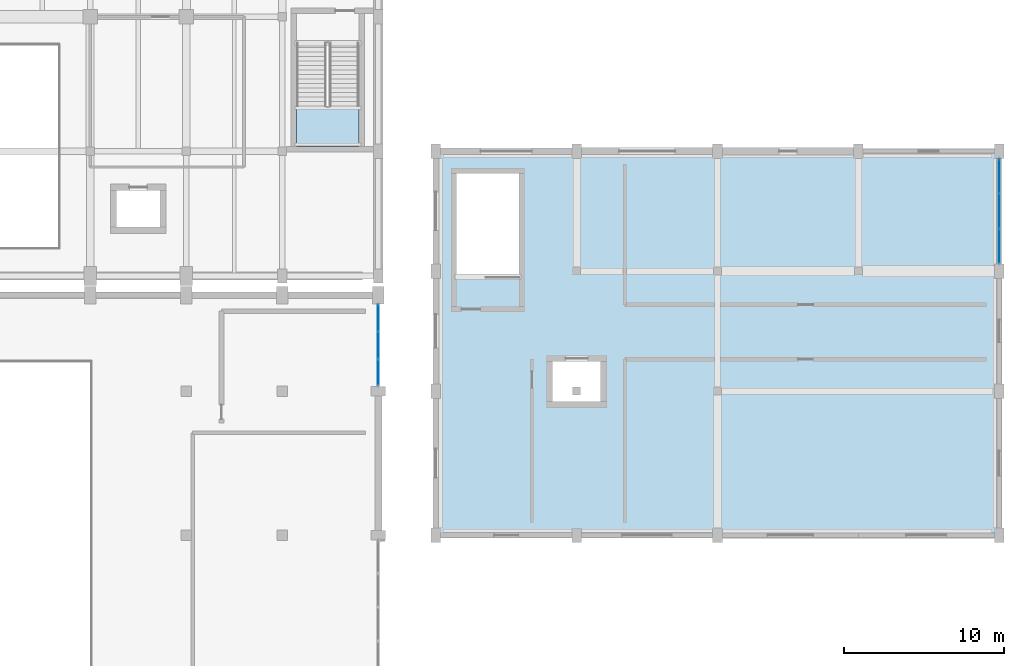
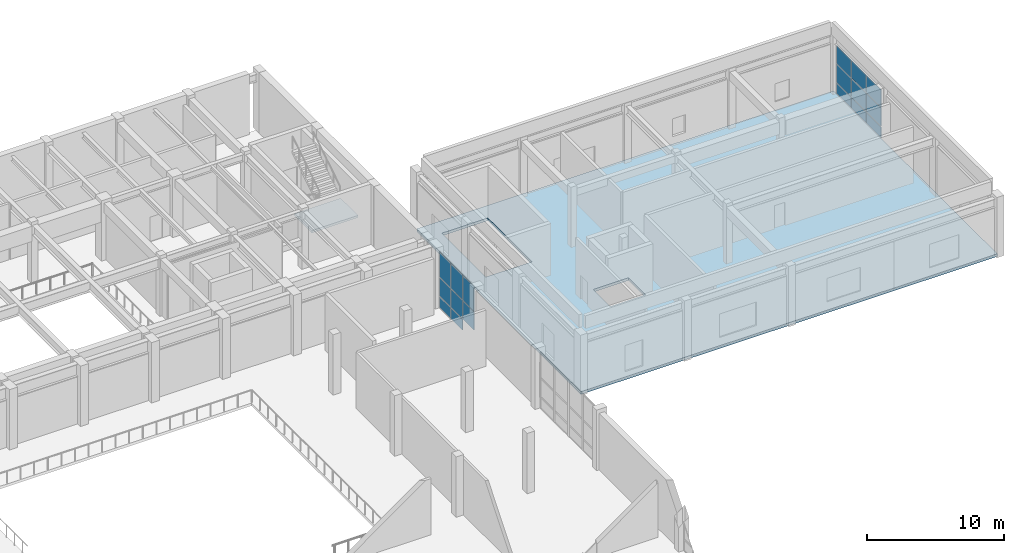
# One storey, part 25 of 41: 17 plates, 2 slabs, 3 elements without a shape of their own.
"""IFC4 building model written with IfcOpenShell, lengths in metres."""

from ifc_helpers import new_model, si_unit, direction, frame, origin, origin_2d, place, context, subcontext, project, spatial, polyline, rectangle, outline, extrude, material, layer, layer_set, type_object, element, aggregate, save


model = new_model("IFC4")

# Units and contexts
model_context = context("Model", 3, precision=1e-05, world=origin(), true_north=direction((0.0, 1.0)))
body_context = subcontext(model_context, "Body", "Model", "MODEL_VIEW")
ifc_project = project(units=[si_unit("LENGTHUNIT", "METRE"), si_unit("AREAUNIT", "SQUARE_METRE"), si_unit("VOLUMEUNIT", "CUBIC_METRE"), si_unit("PLANEANGLEUNIT", "RADIAN"), si_unit("MASSUNIT", "GRAM", prefix="KILO")], contexts=[model_context])

# Site, building, storey
site_placement = place(None, origin())
site = spatial("IfcSite", under=ifc_project, at=site_placement, CompositionType="ELEMENT")
building_placement = place(site_placement, origin())
building = spatial("IfcBuilding", under=site, at=building_placement, Name="Vaelkrest Opera House", CompositionType="ELEMENT")
storey_placement = place(building_placement, frame((0.0, 0.0, 24.60009765625)))
storey = spatial("IfcBuildingStorey", under=building, at=storey_placement, Name="L05", CompositionType="ELEMENT", Elevation=24.60009765625)

# Curtain wall, plates
ifc_material_1 = material(Name="Dark bronze anodized aluminium", Category="aluminium")
ifc_layer_1 = layer(ifc_material_1, 0.219970703125)
ifc_layer_set_1 = layer_set([ifc_layer_1], Name="Dark bronze anodized aluminium")
curtain_wall_type = type_object("IfcCurtainWallType", Name="CW05", PredefinedType="NOTDEFINED", material=ifc_layer_set_1)
curtain_wall_1_placement = place(storey_placement, origin())
curtain_wall_1 = element("IfcCurtainWall", 1, at=curtain_wall_1_placement, inside=storey, type_object=curtain_wall_type, Name="Curtain wall CW-L05-077", PredefinedType="NOTDEFINED")
ifc_material_2 = material(Name="Double low-E insulated glazing", Category="glass")
ifc_layer_2 = layer(ifc_material_2, 0.0419921875)
ifc_layer_set_2 = layer_set([ifc_layer_2], Name="Double low-E insulated glazing")
plate_type = type_object("IfcPlateType", Name="CWP05", PredefinedType="CURTAIN_PANEL", material=ifc_layer_set_2)
plate_1_placement = place(storey_placement, frame((30.0, 14.77685546875, 0.074951171875), z_axis=(0.0, 0.0, 1.0), x_axis=(0.0, -1.0, 0.0)))
plate_1 = element("IfcPlate", 2, at=plate_1_placement, type_object=plate_type, Name="CW05 panel 1.1", PredefinedType="CURTAIN_PANEL", context=body_context, shape_type="SweptSolid", body=[
    extrude(rectangle(XDim=1.62060546875, YDim=0.0419921875, at=origin_2d()), origin(), (0.0, 0.0, 1.0), 0.9375),
])
plate_2_placement = place(storey_placement, frame((30.0, 14.77685546875, 1.08740234375), z_axis=(0.0, 0.0, 1.0), x_axis=(0.0, -1.0, 0.0)))
plate_2 = element("IfcPlate", 3, at=plate_2_placement, type_object=plate_type, Name="CW05 panel 1.2", PredefinedType="CURTAIN_PANEL", context=body_context, shape_type="SweptSolid", body=[
    extrude(rectangle(XDim=1.62060546875, YDim=0.0419921875, at=origin_2d()), origin(), (0.0, 0.0, 1.0), 1.625),
])
plate_3_placement = place(storey_placement, frame((30.0, 14.77685546875, 2.787353515625), z_axis=(0.0, 0.0, 1.0), x_axis=(0.0, -1.0, 0.0)))
plate_3 = element("IfcPlate", 4, at=plate_3_placement, type_object=plate_type, Name="CW05 panel 1.3", PredefinedType="CURTAIN_PANEL", context=body_context, shape_type="SweptSolid", body=[
    extrude(rectangle(XDim=1.62060546875, YDim=0.0419921875, at=origin_2d()), origin(), (0.0, 0.0, 1.0), 2.1875),
])
plate_4_placement = place(storey_placement, frame((30.0, 13.074951171875, 0.074951171875), z_axis=(0.0, 0.0, 1.0), x_axis=(0.0, -1.0, 0.0)))
plate_4 = element("IfcPlate", 5, at=plate_4_placement, type_object=plate_type, Name="CW05 panel 2.1", PredefinedType="CURTAIN_PANEL", context=body_context, shape_type="SweptSolid", body=[
    extrude(rectangle(XDim=1.653076171875, YDim=0.0419921875, at=origin_2d()), origin(), (0.0, 0.0, 1.0), 0.9375),
])
plate_5_placement = place(storey_placement, frame((30.0, 13.074951171875, 1.08740234375), z_axis=(0.0, 0.0, 1.0), x_axis=(0.0, -1.0, 0.0)))
plate_5 = element("IfcPlate", 6, at=plate_5_placement, type_object=plate_type, Name="CW05 panel 2.2", PredefinedType="CURTAIN_PANEL", context=body_context, shape_type="SweptSolid", body=[
    extrude(rectangle(XDim=1.653076171875, YDim=0.0419921875, at=origin_2d()), origin(), (0.0, 0.0, 1.0), 1.625),
])
plate_6_placement = place(storey_placement, frame((30.0, 13.074951171875, 2.787353515625), z_axis=(0.0, 0.0, 1.0), x_axis=(0.0, -1.0, 0.0)))
plate_6 = element("IfcPlate", 7, at=plate_6_placement, type_object=plate_type, Name="CW05 panel 2.3", PredefinedType="CURTAIN_PANEL", context=body_context, shape_type="SweptSolid", body=[
    extrude(rectangle(XDim=1.653076171875, YDim=0.0419921875, at=origin_2d()), origin(), (0.0, 0.0, 1.0), 2.1875),
])
plate_7_placement = place(storey_placement, frame((30.0, 11.373291015625, 1.08740234375), z_axis=(0.0, 0.0, 1.0), x_axis=(0.0, -1.0, 0.0)))
plate_7 = element("IfcPlate", 8, at=plate_7_placement, type_object=plate_type, Name="CW05 panel 3.2", PredefinedType="CURTAIN_PANEL", context=body_context, shape_type="SweptSolid", body=[
    extrude(rectangle(XDim=1.62060546875, YDim=0.0419921875, at=origin_2d()), origin(), (0.0, 0.0, 1.0), 1.625),
])
plate_8_placement = place(storey_placement, frame((30.0, 11.373291015625, 2.787353515625), z_axis=(0.0, 0.0, 1.0), x_axis=(0.0, -1.0, 0.0)))
plate_8 = element("IfcPlate", 9, at=plate_8_placement, type_object=plate_type, Name="CW05 panel 3.3", PredefinedType="CURTAIN_PANEL", context=body_context, shape_type="SweptSolid", body=[
    extrude(rectangle(XDim=1.62060546875, YDim=0.0419921875, at=origin_2d()), origin(), (0.0, 0.0, 1.0), 2.1875),
])
aggregate(curtain_wall_1, [plate_1, plate_2, plate_3, plate_4, plate_5, plate_6, plate_7, plate_8])

curtain_wall_2_placement = place(storey_placement, origin())
curtain_wall_2 = element("IfcCurtainWall", 10, at=curtain_wall_2_placement, inside=storey, type_object=curtain_wall_type, Name="Curtain wall CW-L05-172", PredefinedType="NOTDEFINED")
plate_9_placement = place(storey_placement, frame((68.800048828125, 23.635009765625, 0.074951171875), z_axis=(0.0, 0.0, 1.0), x_axis=(0.0, -1.0, 0.0)))
plate_9 = element("IfcPlate", 11, at=plate_9_placement, type_object=plate_type, Name="CW05 panel 1.1", PredefinedType="CURTAIN_PANEL", context=body_context, shape_type="SweptSolid", body=[
    extrude(rectangle(XDim=2.103759765625, YDim=0.0419921875, at=origin_2d()), origin(), (0.0, 0.0, 1.0), 0.9375),
])
plate_10_placement = place(storey_placement, frame((68.800048828125, 23.635009765625, 1.08740234375), z_axis=(0.0, 0.0, 1.0), x_axis=(0.0, -1.0, 0.0)))
plate_10 = element("IfcPlate", 12, at=plate_10_placement, type_object=plate_type, Name="CW05 panel 1.2", PredefinedType="CURTAIN_PANEL", context=body_context, shape_type="SweptSolid", body=[
    extrude(rectangle(XDim=2.103759765625, YDim=0.0419921875, at=origin_2d()), origin(), (0.0, 0.0, 1.0), 1.625),
])
plate_11_placement = place(storey_placement, frame((68.800048828125, 23.635009765625, 2.787353515625), z_axis=(0.0, 0.0, 1.0), x_axis=(0.0, -1.0, 0.0)))
plate_11 = element("IfcPlate", 13, at=plate_11_placement, type_object=plate_type, Name="CW05 panel 1.3", PredefinedType="CURTAIN_PANEL", context=body_context, shape_type="SweptSolid", body=[
    extrude(rectangle(XDim=2.103759765625, YDim=0.0419921875, at=origin_2d()), origin(), (0.0, 0.0, 1.0), 1.56640625),
])
plate_12_placement = place(storey_placement, frame((68.800048828125, 21.449951171875, 0.074951171875), z_axis=(0.0, 0.0, 1.0), x_axis=(0.0, -1.0, 0.0)))
plate_12 = element("IfcPlate", 14, at=plate_12_placement, type_object=plate_type, Name="CW05 panel 2.1", PredefinedType="CURTAIN_PANEL", context=body_context, shape_type="SweptSolid", body=[
    extrude(rectangle(XDim=2.13623046875, YDim=0.0419921875, at=origin_2d()), origin(), (0.0, 0.0, 1.0), 0.9375),
])
plate_13_placement = place(storey_placement, frame((68.800048828125, 21.449951171875, 1.08740234375), z_axis=(0.0, 0.0, 1.0), x_axis=(0.0, -1.0, 0.0)))
plate_13 = element("IfcPlate", 15, at=plate_13_placement, type_object=plate_type, Name="CW05 panel 2.2", PredefinedType="CURTAIN_PANEL", context=body_context, shape_type="SweptSolid", body=[
    extrude(rectangle(XDim=2.13623046875, YDim=0.0419921875, at=origin_2d()), origin(), (0.0, 0.0, 1.0), 1.625),
])
plate_14_placement = place(storey_placement, frame((68.800048828125, 21.449951171875, 2.787353515625), z_axis=(0.0, 0.0, 1.0), x_axis=(0.0, -1.0, 0.0)))
plate_14 = element("IfcPlate", 16, at=plate_14_placement, type_object=plate_type, Name="CW05 panel 2.3", PredefinedType="CURTAIN_PANEL", context=body_context, shape_type="SweptSolid", body=[
    extrude(rectangle(XDim=2.13623046875, YDim=0.0419921875, at=origin_2d()), origin(), (0.0, 0.0, 1.0), 1.56640625),
])
plate_15_placement = place(storey_placement, frame((68.800048828125, 19.264892578125, 0.074951171875), z_axis=(0.0, 0.0, 1.0), x_axis=(0.0, -1.0, 0.0)))
plate_15 = element("IfcPlate", 17, at=plate_15_placement, type_object=plate_type, Name="CW05 panel 3.1", PredefinedType="CURTAIN_PANEL", context=body_context, shape_type="SweptSolid", body=[
    extrude(rectangle(XDim=2.103759765625, YDim=0.0419921875, at=origin_2d()), origin(), (0.0, 0.0, 1.0), 0.9375),
])
plate_16_placement = place(storey_placement, frame((68.800048828125, 19.264892578125, 1.08740234375), z_axis=(0.0, 0.0, 1.0), x_axis=(0.0, -1.0, 0.0)))
plate_16 = element("IfcPlate", 18, at=plate_16_placement, type_object=plate_type, Name="CW05 panel 3.2", PredefinedType="CURTAIN_PANEL", context=body_context, shape_type="SweptSolid", body=[
    extrude(rectangle(XDim=2.103759765625, YDim=0.0419921875, at=origin_2d()), origin(), (0.0, 0.0, 1.0), 1.625),
])
plate_17_placement = place(storey_placement, frame((68.800048828125, 19.264892578125, 2.787353515625), z_axis=(0.0, 0.0, 1.0), x_axis=(0.0, -1.0, 0.0)))
plate_17 = element("IfcPlate", 19, at=plate_17_placement, type_object=plate_type, Name="CW05 panel 3.3", PredefinedType="CURTAIN_PANEL", context=body_context, shape_type="SweptSolid", body=[
    extrude(rectangle(XDim=2.103759765625, YDim=0.0419921875, at=origin_2d()), origin(), (0.0, 0.0, 1.0), 1.56640625),
])
aggregate(curtain_wall_2, [plate_9, plate_10, plate_11, plate_12, plate_13, plate_14, plate_15, plate_16, plate_17])

# Slab
ifc_material_3 = material(Name="Concrete C40/50", Category="concrete")
ifc_layer_3 = layer(ifc_material_3, 0.2451171875)
ifc_layer_set_3 = layer_set([ifc_layer_3], Name="Concrete C40/50")
slab_type_1 = type_object("IfcSlabType", Name="FS01", PredefinedType="FLOOR", material=ifc_layer_set_3)
slab_1_placement = place(storey_placement, frame((0.0, 0.0, -0.2451171875)))
element("IfcSlab", 20, at=slab_1_placement, inside=storey, type_object=slab_type_1, Name="Floor slab SLB-V4-L05-033", PredefinedType="FLOOR", context=body_context, shape_type="SweptSolid", body=[
    extrude(outline(polyline([(33.60009765625, 1.199951171875), (68.800048828125, 1.199951171875), (68.800048828125, 25.199951171875), (33.60009765625, 25.199951171875), (33.60009765625, 1.199951171875)]), holes=[polyline([(38.800048828125, 17.35009765625), (38.800048828125, 23.800048828125), (34.89990234375, 23.800048828125), (34.89990234375, 17.35009765625), (38.800048828125, 17.35009765625)]), polyline([(40.89990234375, 9.550048828125), (43.89990234375, 9.550048828125), (43.89990234375, 12.050048828125), (40.89990234375, 12.050048828125), (40.89990234375, 9.550048828125)])]), origin(), (0.0, 0.0, 1.0), 0.2451171875),
])

# Stair, slab
stair_type = type_object("IfcStairType", Name="ST06", PredefinedType="TWO_STRAIGHT_RUN_STAIR", material=ifc_material_3)
stair_placement = place(storey_placement, origin())
stair = element("IfcStair", 21, at=stair_placement, inside=storey, type_object=stair_type, Name="L05 Protected exit stair ST06", PredefinedType="TWO_STRAIGHT_RUN_STAIR")
ifc_layer_4 = layer(ifc_material_3, 0.199951171875)
ifc_layer_set_4 = layer_set([ifc_layer_4], Name="Concrete C40/50")
slab_type_2 = type_object("IfcSlabType", Name="SLD01", PredefinedType="LANDING", material=ifc_layer_set_4)
slab_2_placement = place(storey_placement, frame((0.0, 0.0, 2.5)))
slab_2 = element("IfcSlab", 22, at=slab_2_placement, type_object=slab_type_2, Name="ST06 landing 1", PredefinedType="LANDING", context=body_context, shape_type="SweptSolid", body=[
    extrude(outline(polyline([(24.89990234375, 28.030029296875), (24.89990234375, 25.5), (28.800048828125, 25.5), (28.800048828125, 28.030029296875), (24.89990234375, 28.030029296875)])), origin(), (0.0, 0.0, 1.0), 0.199951171875),
])
aggregate(stair, [slab_2])

save(model, "model.ifc")
